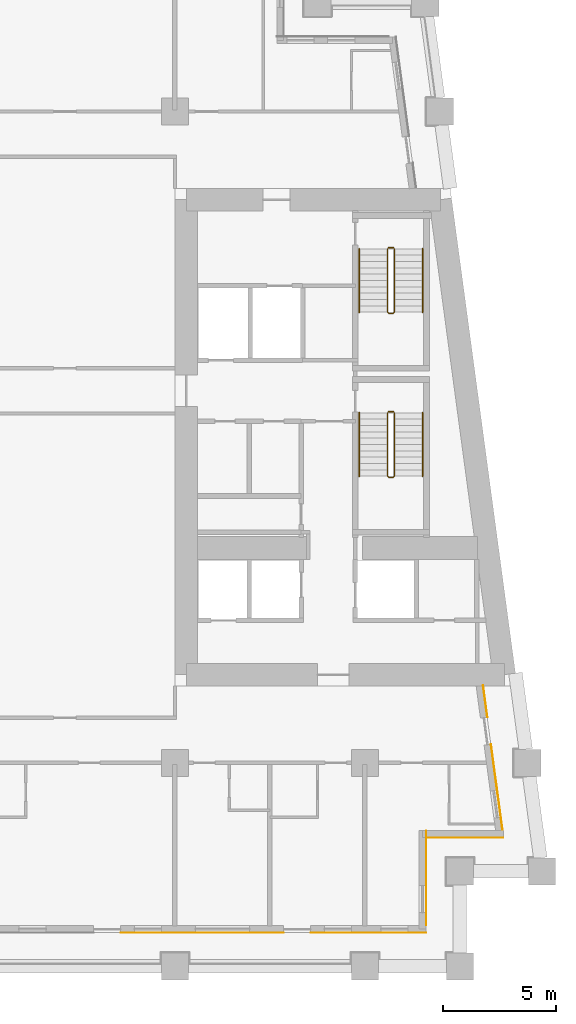
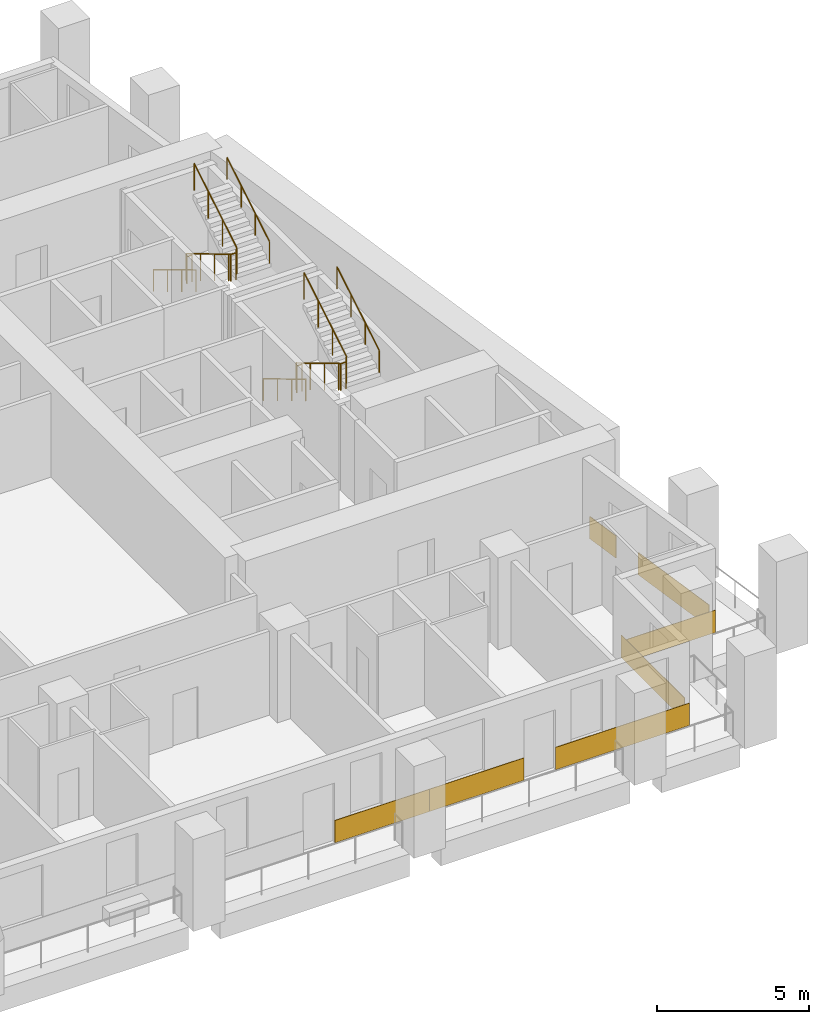
# One storey, part 11 of 13: 8 railings, 7 coverings.
"""IFC4 building model written with IfcOpenShell, lengths in metres."""

from ifc_helpers import new_model, si_unit, direction, frame, origin, origin_2d, place, context, subcontext, project, spatial, rectangle, circle, extrude, material, layer, layer_set, type_object, element, save


model = new_model("IFC4")

# Units and contexts
model_context = context("Model", 3, precision=1e-05, world=origin(), true_north=direction((0.0, 1.0)))
body_context = subcontext(model_context, "Body", "Model", "MODEL_VIEW")
ifc_project = project(units=[si_unit("LENGTHUNIT", "METRE"), si_unit("AREAUNIT", "SQUARE_METRE"), si_unit("VOLUMEUNIT", "CUBIC_METRE"), si_unit("PLANEANGLEUNIT", "RADIAN"), si_unit("MASSUNIT", "GRAM", prefix="KILO")], contexts=[model_context])

# Site, building, storey
site_placement = place(None, origin())
site = spatial("IfcSite", under=ifc_project, at=site_placement, CompositionType="ELEMENT")
building_placement = place(site_placement, origin())
building = spatial("IfcBuilding", under=site, at=building_placement, Name="Candeia Pilgrim Tower and Theatre", CompositionType="ELEMENT")
storey_placement = place(building_placement, frame((0.0, 0.0, 94.699951171875)))
storey = spatial("IfcBuildingStorey", under=building, at=storey_placement, Name="L21", CompositionType="ELEMENT", Elevation=94.699951171875)

# Coverings
ifc_material_1 = material(Name="Glazed ceramic tile red")
ifc_layer_1 = layer(ifc_material_1, 0.02001953125)
ifc_layer_set_1 = layer_set([ifc_layer_1], Name="Glazed ceramic tile red")
covering_type_1 = type_object("IfcCoveringType", Name="Glazed ceramic tile red", PredefinedType="CLADDING", material=ifc_layer_set_1)
covering_1_placement = place(storey_placement, frame((129.0, 99.489990234375, 0.0), z_axis=(0.0, 0.0, 1.0), x_axis=(1.0, 0.0, 0.0)))
element("IfcCovering", 1, at=covering_1_placement, inside=storey, type_object=covering_type_1, Name="Tile cladding red L21", PredefinedType="CLADDING", context=body_context, shape_type="SweptSolid", body=[
    extrude(rectangle(XDim=3.60009765625, YDim=0.02001953125, at=origin_2d()), origin(), (0.0, 0.0, 1.0), 0.89990234375),
])
covering_2_placement = place(storey_placement, frame((134.550048828125, 99.489990234375, 0.0), z_axis=(0.0, 0.0, 1.0), x_axis=(1.0, 0.0, 0.0)))
element("IfcCovering", 2, at=covering_2_placement, inside=storey, type_object=covering_type_1, Name="Tile cladding red L21", PredefinedType="CLADDING", context=body_context, shape_type="SweptSolid", body=[
    extrude(rectangle(XDim=5.10009765625, YDim=0.02001953125, at=origin_2d()), origin(), (0.0, 0.0, 1.0), 0.89990234375),
])
covering_3_placement = place(storey_placement, frame((137.110107421875, 101.909912109375, 0.0), z_axis=(0.0, 0.0, 1.0), x_axis=(0.0, 1.0, 0.0)))
element("IfcCovering", 3, at=covering_3_placement, inside=storey, type_object=covering_type_1, Name="Tile cladding red L21", PredefinedType="CLADDING", context=body_context, shape_type="SweptSolid", body=[
    extrude(rectangle(XDim=4.179931640625, YDim=0.02001953125, at=origin_2d()), origin(), (0.0, 0.0, 1.0), 0.89990234375),
])
covering_4_placement = place(storey_placement, frame((138.819580078125, 103.68994140625, 0.0), z_axis=(0.0, 0.0, 1.0), x_axis=(1.0, 0.0, 0.0)))
element("IfcCovering", 4, at=covering_4_placement, inside=storey, type_object=covering_type_1, Name="Tile cladding red L21", PredefinedType="CLADDING", context=body_context, shape_type="SweptSolid", body=[
    extrude(rectangle(XDim=3.399169921875, YDim=0.02001953125, at=origin_2d()), origin(), (0.0, 0.0, 1.0), 0.89990234375),
])
covering_5_placement = place(storey_placement, frame((140.228515625, 105.933349609375, 0.0), z_axis=(0.0, 0.0, 1.0), x_axis=(-0.133412012145, 0.991060661622, 0.0)))
element("IfcCovering", 5, at=covering_5_placement, inside=storey, type_object=covering_type_1, Name="Tile cladding red L21", PredefinedType="CLADDING", context=body_context, shape_type="SweptSolid", body=[
    extrude(rectangle(XDim=3.821044921875, YDim=0.02001953125, at=origin_2d()), origin(), (0.0, 0.0, 1.0), 0.89990234375),
])
covering_6_placement = place(storey_placement, frame((139.718994140625, 109.71875, 0.0), z_axis=(0.0, 0.0, 1.0), x_axis=(-0.133412012145, 0.991060661622, 0.0)))
element("IfcCovering", 6, at=covering_6_placement, inside=storey, type_object=covering_type_1, Name="Tile cladding red L21", PredefinedType="CLADDING", context=body_context, shape_type="SweptSolid", body=[
    extrude(rectangle(XDim=1.41796875, YDim=0.02001953125, at=origin_2d()), origin(), (0.0, 0.0, 1.0), 0.89990234375),
])
ifc_material_2 = material(Name="Glazed ceramic tile rust")
ifc_layer_2 = layer(ifc_material_2, 0.02001953125)
ifc_layer_set_2 = layer_set([ifc_layer_2], Name="Glazed ceramic tile rust")
covering_type_2 = type_object("IfcCoveringType", Name="Glazed ceramic tile rust", PredefinedType="CLADDING", material=ifc_layer_set_2)
covering_7_placement = place(storey_placement, frame((125.39990234375, 99.489990234375, 0.0), z_axis=(0.0, 0.0, 1.0), x_axis=(1.0, 0.0, 0.0)))
element("IfcCovering", 7, at=covering_7_placement, inside=storey, type_object=covering_type_2, Name="Tile cladding rust L21", PredefinedType="CLADDING", context=body_context, shape_type="SweptSolid", body=[
    extrude(rectangle(XDim=3.60009765625, YDim=0.02001953125, at=origin_2d()), origin(), (0.0, 0.0, 1.0), 0.89990234375),
])

# Railings
ifc_material_3 = material(Name="Stainless steel balustrade", Category="steel")
railing_type_1 = type_object("IfcRailingType", Name="RL-GUARD-1100", PredefinedType="GUARDRAIL", material=ifc_material_3)
railing_1_placement = place(storey_placement, frame((135.39794921875, 122.47509765625, 0.168212890625)))
element("IfcRailing", 8, at=railing_1_placement, inside=storey, type_object=railing_type_1, Name="L21 ST3 stair guard 1", PredefinedType="GUARDRAIL", context=body_context, shape_type="SweptSolid", body=[
    extrude(circle(Radius=0.02392578125, at=origin_2d()), frame((0.0, 0.0, 1.076171875), z_axis=(0.0, -0.857242210791, 0.514913383045), x_axis=(1.0, 0.0, 0.0)), (0.0, 0.0, 1.0), 3.266357421875),
    extrude(circle(Radius=0.02392578125, at=origin_2d()), frame((0.0, -2.800048828125, 2.7578125), z_axis=(0.707106781187, -0.707106781187, 0.0), x_axis=(0.707106781187, 0.707106781187, 0.0)), (0.0, 0.0, 1.0), 0.07080078125),
    extrude(circle(Radius=0.02392578125, at=origin_2d()), frame((0.050048828125, -2.85009765625, 2.7578125), z_axis=(1.0, 0.0, 0.0), x_axis=(0.0, 1.0, 0.0)), (0.0, 0.0, 1.0), 0.199951171875),
    extrude(circle(Radius=0.02392578125, at=origin_2d()), frame((0.25, -2.85009765625, 2.7578125), z_axis=(0.274243871929, 0.274243871929, 0.92172696468), x_axis=(-0.707106781187, 0.707106781187, 0.0)), (0.0, 0.0, 1.0), 0.1826171875),
    extrude(circle(Radius=0.02392578125, at=origin_2d()), frame((0.300048828125, -2.800048828125, 2.92626953125), z_axis=(0.0, 0.857275202839, 0.514858452973), x_axis=(-1.0, 0.0, 0.0)), (0.0, 0.0, 1.0), 3.26611328125),
    extrude(circle(Radius=0.02099609375, at=origin_2d()), origin(), (0.0, 0.0, 1.0), 1.052001953125),
    extrude(circle(Radius=0.02099609375, at=origin_2d()), frame((0.0, -0.933349609375, 0.560546875)), (0.0, 0.0, 1.0), 1.052001953125),
    extrude(circle(Radius=0.02099609375, at=origin_2d()), frame((0.0, -1.86669921875, 1.121337890625)), (0.0, 0.0, 1.0), 1.052001953125),
    extrude(circle(Radius=0.02099609375, at=origin_2d()), frame((0.0, -2.800048828125, 1.681884765625)), (0.0, 0.0, 1.0), 1.052001953125),
    extrude(circle(Radius=0.02099609375, at=origin_2d()), frame((0.050048828125, -2.85009765625, 1.681884765625)), (0.0, 0.0, 1.0), 1.052001953125),
    extrude(circle(Radius=0.02099609375, at=origin_2d()), frame((0.25, -2.85009765625, 1.681884765625)), (0.0, 0.0, 1.0), 1.052001953125),
    extrude(circle(Radius=0.02099609375, at=origin_2d()), frame((0.300048828125, -2.800048828125, 1.85009765625)), (0.0, 0.0, 1.0), 1.052001953125),
    extrude(circle(Radius=0.02099609375, at=origin_2d()), frame((0.300048828125, -1.86669921875, 2.41064453125)), (0.0, 0.0, 1.0), 1.052001953125),
    extrude(circle(Radius=0.02099609375, at=origin_2d()), frame((0.300048828125, -0.933349609375, 2.97119140625)), (0.0, 0.0, 1.0), 1.052001953125),
    extrude(circle(Radius=0.02099609375, at=origin_2d()), frame((0.300048828125, 0.0, 3.53173828125)), (0.0, 0.0, 1.0), 1.052001953125),
])
railing_2_placement = place(storey_placement, frame((135.447998046875, 122.52490234375, 0.0)))
element("IfcRailing", 9, at=railing_2_placement, inside=storey, type_object=railing_type_1, Name="L21 ST3 stair guard 2", PredefinedType="GUARDRAIL", context=body_context, shape_type="SweptSolid", body=[
    extrude(circle(Radius=0.02392578125, at=origin_2d()), frame((0.0, 0.0, 1.076171875), z_axis=(1.0, 0.0, 0.0), x_axis=(0.0, 1.0, 0.0)), (0.0, 0.0, 1.0), 0.199951171875),
    extrude(circle(Radius=0.02099609375, at=origin_2d()), origin(), (0.0, 0.0, 1.0), 1.052001953125),
    extrude(circle(Radius=0.02099609375, at=origin_2d()), frame((0.199951171875, 0.0, 0.0)), (0.0, 0.0, 1.0), 1.052001953125),
])
railing_3_placement = place(storey_placement, frame((135.39794921875, 129.72509765625, 0.168212890625)))
element("IfcRailing", 10, at=railing_3_placement, inside=storey, type_object=railing_type_1, Name="L21 ST4 stair guard 1", PredefinedType="GUARDRAIL", context=body_context, shape_type="SweptSolid", body=[
    extrude(circle(Radius=0.02392578125, at=origin_2d()), frame((0.0, 0.0, 1.076171875), z_axis=(0.0, -0.857242210791, 0.514913383045), x_axis=(1.0, 0.0, 0.0)), (0.0, 0.0, 1.0), 3.266357421875),
    extrude(circle(Radius=0.02392578125, at=origin_2d()), frame((0.0, -2.800048828125, 2.7578125), z_axis=(0.707106781187, -0.707106781187, 0.0), x_axis=(0.707106781187, 0.707106781187, 0.0)), (0.0, 0.0, 1.0), 0.07080078125),
    extrude(circle(Radius=0.02392578125, at=origin_2d()), frame((0.050048828125, -2.85009765625, 2.7578125), z_axis=(1.0, 0.0, 0.0), x_axis=(0.0, 1.0, 0.0)), (0.0, 0.0, 1.0), 0.199951171875),
    extrude(circle(Radius=0.02392578125, at=origin_2d()), frame((0.25, -2.85009765625, 2.7578125), z_axis=(0.274243871929, 0.274243871929, 0.92172696468), x_axis=(-0.707106781187, 0.707106781187, 0.0)), (0.0, 0.0, 1.0), 0.1826171875),
    extrude(circle(Radius=0.02392578125, at=origin_2d()), frame((0.300048828125, -2.800048828125, 2.92626953125), z_axis=(0.0, 0.857275202839, 0.514858452973), x_axis=(-1.0, 0.0, 0.0)), (0.0, 0.0, 1.0), 3.26611328125),
    extrude(circle(Radius=0.02099609375, at=origin_2d()), origin(), (0.0, 0.0, 1.0), 1.052001953125),
    extrude(circle(Radius=0.02099609375, at=origin_2d()), frame((0.0, -0.933349609375, 0.560546875)), (0.0, 0.0, 1.0), 1.052001953125),
    extrude(circle(Radius=0.02099609375, at=origin_2d()), frame((0.0, -1.86669921875, 1.121337890625)), (0.0, 0.0, 1.0), 1.052001953125),
    extrude(circle(Radius=0.02099609375, at=origin_2d()), frame((0.0, -2.800048828125, 1.681884765625)), (0.0, 0.0, 1.0), 1.052001953125),
    extrude(circle(Radius=0.02099609375, at=origin_2d()), frame((0.050048828125, -2.85009765625, 1.681884765625)), (0.0, 0.0, 1.0), 1.052001953125),
    extrude(circle(Radius=0.02099609375, at=origin_2d()), frame((0.25, -2.85009765625, 1.681884765625)), (0.0, 0.0, 1.0), 1.052001953125),
    extrude(circle(Radius=0.02099609375, at=origin_2d()), frame((0.300048828125, -2.800048828125, 1.85009765625)), (0.0, 0.0, 1.0), 1.052001953125),
    extrude(circle(Radius=0.02099609375, at=origin_2d()), frame((0.300048828125, -1.86669921875, 2.41064453125)), (0.0, 0.0, 1.0), 1.052001953125),
    extrude(circle(Radius=0.02099609375, at=origin_2d()), frame((0.300048828125, -0.933349609375, 2.97119140625)), (0.0, 0.0, 1.0), 1.052001953125),
    extrude(circle(Radius=0.02099609375, at=origin_2d()), frame((0.300048828125, 0.0, 3.53173828125)), (0.0, 0.0, 1.0), 1.052001953125),
])
railing_4_placement = place(storey_placement, frame((135.447998046875, 129.77490234375, 0.0)))
element("IfcRailing", 11, at=railing_4_placement, inside=storey, type_object=railing_type_1, Name="L21 ST4 stair guard 2", PredefinedType="GUARDRAIL", context=body_context, shape_type="SweptSolid", body=[
    extrude(circle(Radius=0.02392578125, at=origin_2d()), frame((0.0, 0.0, 1.076171875), z_axis=(1.0, 0.0, 0.0), x_axis=(0.0, 1.0, 0.0)), (0.0, 0.0, 1.0), 0.199951171875),
    extrude(circle(Radius=0.02099609375, at=origin_2d()), origin(), (0.0, 0.0, 1.0), 1.052001953125),
    extrude(circle(Radius=0.02099609375, at=origin_2d()), frame((0.199951171875, 0.0, 0.0)), (0.0, 0.0, 1.0), 1.052001953125),
])
ifc_material_4 = material(Name="Stainless steel handrail", Category="steel")
railing_type_2 = type_object("IfcRailingType", Name="RL-HANDRAIL-900", PredefinedType="HANDRAIL", material=ifc_material_4)
railing_5_placement = place(storey_placement, frame((134.14794921875, 122.47509765625, 0.168212890625)))
element("IfcRailing", 12, at=railing_5_placement, inside=storey, type_object=railing_type_2, Name="L21 ST3 stair handrail 1", PredefinedType="HANDRAIL", context=body_context, shape_type="SweptSolid", body=[
    extrude(circle(Radius=0.02392578125, at=origin_2d()), frame((0.0, 0.0, 0.8759765625), z_axis=(0.0, -0.857242210791, 0.514913383045), x_axis=(1.0, 0.0, 0.0)), (0.0, 0.0, 1.0), 3.266357421875),
    extrude(circle(Radius=0.02099609375, at=origin_2d()), origin(), (0.0, 0.0, 1.0), 0.851806640625),
    extrude(circle(Radius=0.02099609375, at=origin_2d()), frame((0.0, -0.933349609375, 0.560546875)), (0.0, 0.0, 1.0), 0.851806640625),
    extrude(circle(Radius=0.02099609375, at=origin_2d()), frame((0.0, -1.86669921875, 1.121337890625)), (0.0, 0.0, 1.0), 0.851806640625),
    extrude(circle(Radius=0.02099609375, at=origin_2d()), frame((0.0, -2.800048828125, 1.681884765625)), (0.0, 0.0, 1.0), 0.851806640625),
])
railing_6_placement = place(storey_placement, frame((136.947998046875, 119.675048828125, 2.018310546875)))
element("IfcRailing", 13, at=railing_6_placement, inside=storey, type_object=railing_type_2, Name="L21 ST3 stair handrail 2", PredefinedType="HANDRAIL", context=body_context, shape_type="SweptSolid", body=[
    extrude(circle(Radius=0.02392578125, at=origin_2d()), frame((0.0, 0.0, 0.8759765625), z_axis=(0.0, 0.857275202839, 0.514858452973), x_axis=(-1.0, 0.0, 0.0)), (0.0, 0.0, 1.0), 3.26611328125),
    extrude(circle(Radius=0.02099609375, at=origin_2d()), origin(), (0.0, 0.0, 1.0), 0.851806640625),
    extrude(circle(Radius=0.02099609375, at=origin_2d()), frame((0.0, 0.933349609375, 0.560546875)), (0.0, 0.0, 1.0), 0.851806640625),
    extrude(circle(Radius=0.02099609375, at=origin_2d()), frame((0.0, 1.86669921875, 1.12109375)), (0.0, 0.0, 1.0), 0.851806640625),
    extrude(circle(Radius=0.02099609375, at=origin_2d()), frame((0.0, 2.800048828125, 1.681640625)), (0.0, 0.0, 1.0), 0.851806640625),
])
railing_7_placement = place(storey_placement, frame((134.14794921875, 129.72509765625, 0.168212890625)))
element("IfcRailing", 14, at=railing_7_placement, inside=storey, type_object=railing_type_2, Name="L21 ST4 stair handrail 1", PredefinedType="HANDRAIL", context=body_context, shape_type="SweptSolid", body=[
    extrude(circle(Radius=0.02392578125, at=origin_2d()), frame((0.0, 0.0, 0.8759765625), z_axis=(0.0, -0.857242210791, 0.514913383045), x_axis=(1.0, 0.0, 0.0)), (0.0, 0.0, 1.0), 3.266357421875),
    extrude(circle(Radius=0.02099609375, at=origin_2d()), origin(), (0.0, 0.0, 1.0), 0.851806640625),
    extrude(circle(Radius=0.02099609375, at=origin_2d()), frame((0.0, -0.933349609375, 0.560546875)), (0.0, 0.0, 1.0), 0.851806640625),
    extrude(circle(Radius=0.02099609375, at=origin_2d()), frame((0.0, -1.86669921875, 1.121337890625)), (0.0, 0.0, 1.0), 0.851806640625),
    extrude(circle(Radius=0.02099609375, at=origin_2d()), frame((0.0, -2.800048828125, 1.681884765625)), (0.0, 0.0, 1.0), 0.851806640625),
])
railing_8_placement = place(storey_placement, frame((136.947998046875, 126.925048828125, 2.018310546875)))
element("IfcRailing", 15, at=railing_8_placement, inside=storey, type_object=railing_type_2, Name="L21 ST4 stair handrail 2", PredefinedType="HANDRAIL", context=body_context, shape_type="SweptSolid", body=[
    extrude(circle(Radius=0.02392578125, at=origin_2d()), frame((0.0, 0.0, 0.8759765625), z_axis=(0.0, 0.857275202839, 0.514858452973), x_axis=(-1.0, 0.0, 0.0)), (0.0, 0.0, 1.0), 3.26611328125),
    extrude(circle(Radius=0.02099609375, at=origin_2d()), origin(), (0.0, 0.0, 1.0), 0.851806640625),
    extrude(circle(Radius=0.02099609375, at=origin_2d()), frame((0.0, 0.933349609375, 0.560546875)), (0.0, 0.0, 1.0), 0.851806640625),
    extrude(circle(Radius=0.02099609375, at=origin_2d()), frame((0.0, 1.86669921875, 1.12109375)), (0.0, 0.0, 1.0), 0.851806640625),
    extrude(circle(Radius=0.02099609375, at=origin_2d()), frame((0.0, 2.800048828125, 1.681640625)), (0.0, 0.0, 1.0), 0.851806640625),
])

save(model, "model.ifc")
